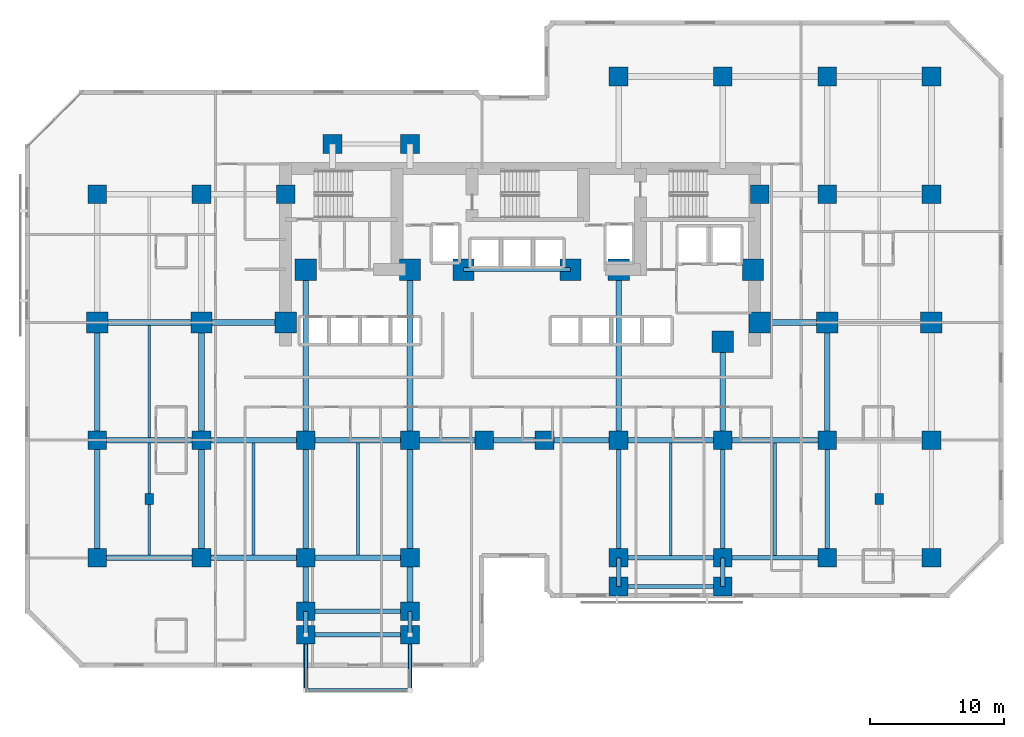
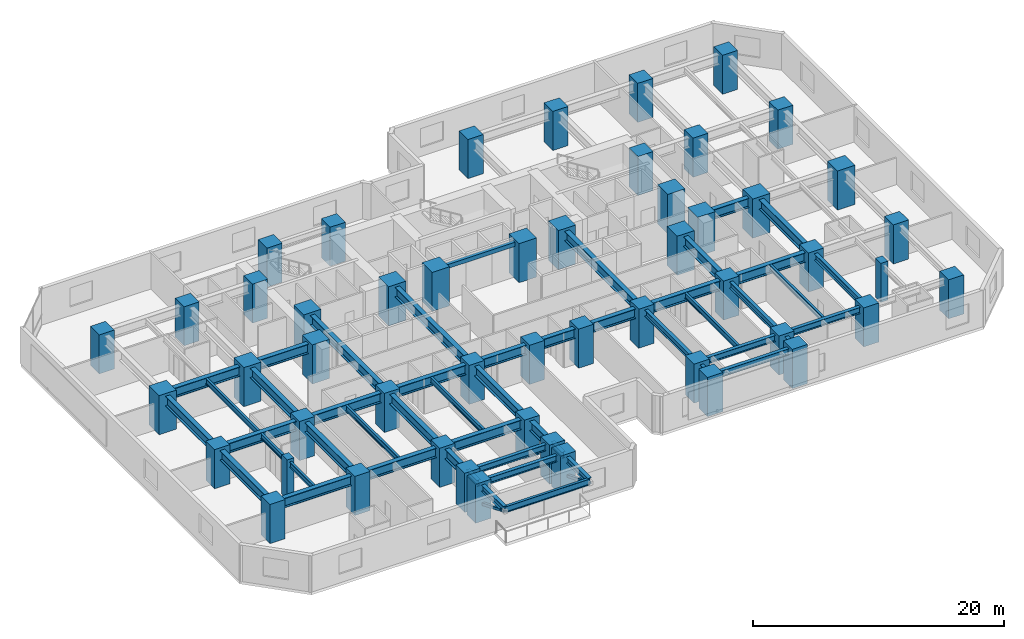
# One storey, part 1 of 12: 51 columns, 49 beams, 2 members.
"""IFC4 building model written with IfcOpenShell, lengths in metres."""

from ifc_helpers import new_model, si_unit, direction, frame, origin, origin_2d, place, context, subcontext, project, spatial, rectangle, hollow_rectangle, i_section, extrude, material, material_profile, profile_set, type_object, element, save


model = new_model("IFC4")

# Units and contexts
model_context = context("Model", 3, precision=1e-05, world=origin(), true_north=direction((0.0, 1.0)))
body_context = subcontext(model_context, "Body", "Model", "MODEL_VIEW")
ifc_project = project(units=[si_unit("LENGTHUNIT", "METRE"), si_unit("AREAUNIT", "SQUARE_METRE"), si_unit("VOLUMEUNIT", "CUBIC_METRE"), si_unit("PLANEANGLEUNIT", "RADIAN"), si_unit("MASSUNIT", "GRAM", prefix="KILO")], contexts=[model_context])

# Site, building, storey
site_placement = place(None, origin())
site = spatial("IfcSite", under=ifc_project, at=site_placement, CompositionType="ELEMENT")
building_placement = place(site_placement, origin())
building = spatial("IfcBuilding", under=site, at=building_placement, Name="Kestravale Grand Hotel", CompositionType="ELEMENT")
storey_placement = place(building_placement, frame((0.0, 0.0, 41.199951171875)))
storey = spatial("IfcBuildingStorey", under=building, at=storey_placement, Name="L09", CompositionType="ELEMENT", Elevation=41.199951171875)

# Columns
ifc_material_1 = material(Name="Concrete f'c 70 MPa", Category="concrete")
ifc_material_profile_1 = material_profile(ifc_material_1, rectangle(XDim=1.39990234375, YDim=1.39990234375, at=origin_2d()))
ifc_profile_set_1 = profile_set([ifc_material_profile_1], Name="Concrete f'c 70 MPa")
column_type_1 = type_object("IfcColumnType", Name="C-Z1-1400", PredefinedType="COLUMN", material=ifc_profile_set_1)
for number, where, z_axis, x_axis, name in (
    (1, (7.800048828125, 11.199951171875, 0.0), (0.0, 0.0, 1.0), (1.0, 0.0, 0.0), "L09 column 2-C"),
    (2, (7.800048828125, 20.0, 0.0), (0.0, 0.0, 1.0), (1.0, 0.0, 0.0), "L09 column 2-D"),
    (3, (7.800048828125, 38.39990234375, 0.0), (0.0, 0.0, 1.0), (1.0, 0.0, 0.0), "L09 column 2-F"),
    (4, (15.60009765625, 11.199951171875, 0.0), (0.0, 0.0, 1.0), (1.0, 0.0, 0.0), "L09 column 3-C"),
    (5, (15.60009765625, 20.0, 0.0), (0.0, 0.0, 1.0), (1.0, 0.0, 0.0), "L09 column 3-D"),
    (6, (15.60009765625, 38.39990234375, 0.0), (0.0, 0.0, 1.0), (1.0, 0.0, 0.0), "L09 column 3-F"),
    (7, (23.39990234375, 11.199951171875, 0.0), (0.0, 0.0, 1.0), (1.0, 0.0, 0.0), "L09 column 4-C"),
    (8, (23.39990234375, 20.0, 0.0), (0.0, 0.0, 1.0), (1.0, 0.0, 0.0), "L09 column 4-D"),
    (9, (31.199951171875, 11.199951171875, 0.0), (0.0, 0.0, 1.0), (1.0, 0.0, 0.0), "L09 column 5-C"),
    (10, (31.199951171875, 20.0, 0.0), (0.0, 0.0, 1.0), (1.0, 0.0, 0.0), "L09 column 5-D"),
    (11, (36.75, 20.0, 0.0), (0.0, 0.0, 1.0), (1.0, 0.0, 0.0), "L09 column 6-D"),
    (12, (41.25, 20.0, 0.0), (0.0, 0.0, 1.0), (1.0, 0.0, 0.0), "L09 column 7-D"),
    (13, (46.800048828125, 11.199951171875, 0.0), (0.0, 0.0, 1.0), (1.0, 0.0, 0.0), "L09 column 8-C"),
    (14, (46.800048828125, 20.0, 0.0), (0.0, 0.0, 1.0), (1.0, 0.0, 0.0), "L09 column 8-D"),
    (15, (46.800048828125, 47.199951171875, 0.0), (0.0, 0.0, 1.0), (1.0, 0.0, 0.0), "L09 column 8-G"),
    (16, (54.60009765625, 11.199951171875, 0.0), (0.0, 0.0, 1.0), (1.0, 0.0, 0.0), "L09 column 9-C"),
    (17, (54.60009765625, 20.0, 0.0), (0.0, 0.0, 1.0), (1.0, 0.0, 0.0), "L09 column 9-D"),
    (18, (54.60009765625, 47.199951171875, 0.0), (0.0, 0.0, 1.0), (1.0, 0.0, 0.0), "L09 column 9-G"),
    (19, (62.39990234375, 11.199951171875, 0.0), (0.0, 0.0, 1.0), (1.0, 0.0, 0.0), "L09 column 10-C"),
    (20, (62.39990234375, 20.0, 0.0), (0.0, 0.0, 1.0), (1.0, 0.0, 0.0), "L09 column 10-D"),
    (21, (62.39990234375, 38.39990234375, 0.0), (0.0, 0.0, 1.0), (1.0, 0.0, 0.0), "L09 column 10-F"),
    (22, (62.39990234375, 47.199951171875, 0.0), (0.0, 0.0, 1.0), (1.0, 0.0, 0.0), "L09 column 10-G"),
    (23, (70.199951171875, 11.199951171875, 0.0), (0.0, 0.0, 1.0), (1.0, 0.0, 0.0), "L09 column 11-C"),
    (24, (70.199951171875, 20.0, 0.0), (0.0, 0.0, 1.0), (1.0, 0.0, 0.0), "L09 column 11-D"),
    (25, (70.199951171875, 38.39990234375, 0.0), (0.0, 0.0, 1.0), (1.0, 0.0, 0.0), "L09 column 11-F"),
    (26, (70.199951171875, 47.199951171875, 0.0), (0.0, 0.0, 1.0), (1.0, 0.0, 0.0), "L09 column 11-G"),
    (27, (21.89990234375, 38.39990234375, 0.0), (0.0, 0.0, 1.0), (1.0, 0.0, 0.0), "L09 column CW-F"),
    (28, (57.35009765625, 38.39990234375, 0.0), (0.0, 0.0, 1.0), (1.0, 0.0, 0.0), "L09 column CE-F"),
    (29, (23.39990234375, 7.199951171875, 0.0), (0.0, 0.0, 1.0), (1.0, 0.0, 0.0), "L09 column 4-BS"),
    (30, (31.199951171875, 7.199951171875, 0.0), (0.0, 0.0, 1.0), (1.0, 0.0, 0.0), "L09 column 5-BS"),
    (31, (25.39990234375, 42.14990234375, 0.0), (0.0, 0.0, 1.0), (1.0, 0.0, 0.0), "L09 column 4-FN"),
    (32, (31.199951171875, 42.14990234375, 0.0), (0.0, 0.0, 1.0), (1.0, 0.0, 0.0), "L09 column 5-FN"),
    (33, (23.39990234375, 5.449951171875, 0.0), (0.0, 0.0, 1.0), (1.0, 0.0, 0.0), "L09 column 4-B1S"),
    (34, (31.199951171875, 5.449951171875, 0.0), (0.0, 0.0, 1.0), (1.0, 0.0, 0.0), "L09 column 5-B1S"),
    (35, (46.800048828125, 9.050048828125, 0.0), (0.0, 0.0, 1.0), (1.0, 0.0, 0.0), "L09 column 8-B1E"),
    (36, (54.60009765625, 9.050048828125, 0.0), (0.0, 0.0, 1.0), (1.0, 0.0, 0.0), "L09 column 9-B1E"),
):
    element("IfcColumn", number, at=place(storey_placement, frame(where, z_axis=z_axis, x_axis=x_axis)), inside=storey, type_object=column_type_1, Name=name, PredefinedType="COLUMN", context=body_context, shape_type="SweptSolid", body=[
        extrude(rectangle(XDim=1.39990234375, YDim=1.39990234375, at=origin_2d()), origin(), (0.0, 0.0, 1.0), 3.800048828125),
    ])
ifc_material_2 = material(Name="Concrete f'c 70 MPa", Category="concrete")
ifc_material_profile_2 = material_profile(ifc_material_2, rectangle(XDim=1.60009765625, YDim=1.60009765625, at=origin_2d()))
ifc_profile_set_2 = profile_set([ifc_material_profile_2], Name="Concrete f'c 70 MPa")
column_type_2 = type_object("IfcColumnType", Name="C-Z1-1600", PredefinedType="COLUMN", material=ifc_profile_set_2)
for number, where, z_axis, x_axis, name in (
    (37, (7.800048828125, 28.800048828125, 0.0), (0.0, 0.0, 1.0), (1.0, 0.0, 0.0), "L09 column 2-E"),
    (38, (15.60009765625, 28.800048828125, 0.0), (0.0, 0.0, 1.0), (1.0, 0.0, 0.0), "L09 column 3-E"),
    (39, (62.39990234375, 28.800048828125, 0.0), (0.0, 0.0, 1.0), (1.0, 0.0, 0.0), "L09 column 10-E"),
    (40, (70.199951171875, 28.800048828125, 0.0), (0.0, 0.0, 1.0), (1.0, 0.0, 0.0), "L09 column 11-E"),
    (41, (21.89990234375, 28.800048828125, 0.0), (0.0, 0.0, 1.0), (1.0, 0.0, 0.0), "L09 column CW-E"),
    (42, (57.35009765625, 28.800048828125, 0.0), (0.0, 0.0, 1.0), (1.0, 0.0, 0.0), "L09 column CE-E"),
    (43, (23.39990234375, 32.75, 0.0), (0.0, 0.0, 1.0), (1.0, 0.0, 0.0), "L09 column 4-CS"),
    (44, (31.199951171875, 32.75, 0.0), (0.0, 0.0, 1.0), (1.0, 0.0, 0.0), "L09 column 5-CS"),
    (45, (35.199951171875, 32.75, 0.0), (0.0, 0.0, 1.0), (1.0, 0.0, 0.0), "L09 column 6C-CS"),
    (46, (43.199951171875, 32.75, 0.0), (0.0, 0.0, 1.0), (1.0, 0.0, 0.0), "L09 column 7C-CS"),
    (47, (46.800048828125, 32.75, 0.0), (0.0, 0.0, 1.0), (1.0, 0.0, 0.0), "L09 column 8-CS"),
    (48, (54.60009765625, 27.35009765625, 0.0), (0.0, 0.0, 1.0), (1.0, 0.0, 0.0), "L09 column 9-CS"),
    (49, (56.85009765625, 32.75, 0.0), (0.0, 0.0, 1.0), (1.0, 0.0, 0.0), "L09 column 9C-CS"),
):
    element("IfcColumn", number, at=place(storey_placement, frame(where, z_axis=z_axis, x_axis=x_axis)), inside=storey, type_object=column_type_2, Name=name, PredefinedType="COLUMN", context=body_context, shape_type="SweptSolid", body=[
        extrude(rectangle(XDim=1.60009765625, YDim=1.60009765625, at=origin_2d()), origin(), (0.0, 0.0, 1.0), 3.800048828125),
    ])
ifc_material_3 = material(Name="Precast concrete f'c 45 MPa", Category="concrete")
ifc_material_profile_3 = material_profile(ifc_material_3, rectangle(XDim=0.64990234375, YDim=0.85009765625, at=origin_2d()))
ifc_profile_set_3 = profile_set([ifc_material_profile_3], Name="Precast concrete f'c 45 MPa")
column_type_3 = type_object("IfcColumnType", Name="C-Z1-PIL850", PredefinedType="PILASTER", material=ifc_profile_set_3)
for number, where, z_axis, x_axis, name in (
    (50, (11.699951171875, 15.60009765625, 0.0), (0.0, 0.0, 1.0), (1.0, 0.0, 0.0), "L09 Art Deco fluted pilaster P1"),
    (51, (66.300048828125, 15.60009765625, 0.0), (0.0, 0.0, 1.0), (1.0, 0.0, 0.0), "L09 Art Deco fluted pilaster P2"),
):
    element("IfcColumn", number, at=place(storey_placement, frame(where, z_axis=z_axis, x_axis=x_axis)), inside=storey, type_object=column_type_3, Name=name, PredefinedType="PILASTER", context=body_context, shape_type="SweptSolid", body=[
        extrude(rectangle(XDim=0.64990234375, YDim=0.85009765625, at=origin_2d()), origin(), (0.0, 0.0, 1.0), 3.800048828125),
    ])

# Beams
ifc_material_4 = material(Name="Steel ASTM A992 Grade 50", Category="steel")
ifc_material_profile_4 = material_profile(ifc_material_4, i_section(OverallWidth=0.2099609375, OverallDepth=0.535888671875, WebThickness=0.010986328125, FlangeThickness=0.017333984375, FilletRadius=0.017578125, at=origin_2d()))
ifc_profile_set_4 = profile_set([ifc_material_profile_4], Name="Steel ASTM A992 Grade 50")
beam_type_1 = type_object("IfcBeamType", Name="B-FLR-JST21", PredefinedType="JOIST", material=ifc_profile_set_4)
for number, where, z_axis, x_axis, name in (
    (52, (11.699951171875, 11.412109375, 3.27197265625), (0.0, 1.0, 0.0), (-1.0, 0.0, 0.0), "L09 floor joist 2-3/C-D #1"),
    (53, (11.699951171875, 20.2119140625, 3.27197265625), (0.0, 1.0, 0.0), (-1.0, 0.0, 0.0), "L09 floor joist 2-3/D-E #1"),
    (54, (19.5, 11.412109375, 3.27197265625), (0.0, 1.0, 0.0), (-1.0, 0.0, 0.0), "L09 floor joist 3-4/C-D #1"),
    (55, (27.300048828125, 11.412109375, 3.27197265625), (0.0, 1.0, 0.0), (-1.0, 0.0, 0.0), "L09 floor joist 4-5/C-D #1"),
):
    element("IfcBeam", number, at=place(storey_placement, frame(where, z_axis=z_axis, x_axis=x_axis)), inside=storey, type_object=beam_type_1, Name=name, PredefinedType="JOIST", context=body_context, shape_type="SweptSolid", body=[
        extrude(i_section(OverallWidth=0.2099609375, OverallDepth=0.535888671875, WebThickness=0.010986328125, FlangeThickness=0.017333984375, FilletRadius=0.017578125, at=origin_2d()), origin(), (0.0, 0.0, 1.0), 8.3759765625),
    ])
for number, where, z_axis, x_axis, name in (
    (56, (50.699951171875, 11.362548828125, 3.27197265625), (0.0, 1.0, 0.0), (-1.0, 0.0, 0.0), "L09 floor joist 8-9/C-D #1"),
    (57, (58.5, 11.362548828125, 3.27197265625), (0.0, 1.0, 0.0), (-1.0, 0.0, 0.0), "L09 floor joist 9-10/C-D #1"),
):
    element("IfcBeam", number, at=place(storey_placement, frame(where, z_axis=z_axis, x_axis=x_axis)), inside=storey, type_object=beam_type_1, Name=name, PredefinedType="JOIST", context=body_context, shape_type="SweptSolid", body=[
        extrude(i_section(OverallWidth=0.2099609375, OverallDepth=0.535888671875, WebThickness=0.010986328125, FlangeThickness=0.017333984375, FilletRadius=0.017578125, at=origin_2d()), origin(), (0.0, 0.0, 1.0), 8.425537109375),
    ])
ifc_material_5 = material(Name="Concrete f'c 45 MPa", Category="concrete")
ifc_material_profile_5 = material_profile(ifc_material_5, rectangle(XDim=0.300048828125, YDim=0.39990234375, at=origin_2d()))
ifc_profile_set_5 = profile_set([ifc_material_profile_5], Name="Concrete f'c 45 MPa")
beam_type_2 = type_object("IfcBeamType", Name="B-FLR-LNT400", PredefinedType="LINTEL", material=ifc_profile_set_5)
beam_1_placement = place(storey_placement, frame((35.199951171875, 32.75, 3.340087890625), z_axis=(1.0, 0.0, 0.0), x_axis=(0.0, 1.0, 0.0)))
element("IfcBeam", 58, at=beam_1_placement, inside=storey, type_object=beam_type_2, Name="L09 core portal header lintel", PredefinedType="LINTEL", context=body_context, shape_type="SweptSolid", body=[
    extrude(rectangle(XDim=0.300048828125, YDim=0.39990234375, at=origin_2d()), origin(), (0.0, 0.0, 1.0), 8.0),
])
ifc_material_6 = material(Name="Steel ASTM A992 Grade 50", Category="steel")
ifc_material_profile_6 = material_profile(ifc_material_6, i_section(OverallWidth=0.324951171875, OverallDepth=0.612060546875, WebThickness=0.0126953125, FlangeThickness=0.01904296875, FilletRadius=0.018798828125, at=origin_2d()))
ifc_profile_set_6 = profile_set([ifc_material_profile_6], Name="Steel ASTM A992 Grade 50")
beam_type_3 = type_object("IfcBeamType", Name="B-FLR-W24A", PredefinedType="SPANDREL", material=ifc_profile_set_6)
beam_2_placement = place(storey_placement, frame((46.800048828125, 11.199951171875, 3.234130859375), z_axis=(1.0, 0.0, 0.0), x_axis=(0.0, 1.0, 0.0)))
element("IfcBeam", 59, at=beam_2_placement, inside=storey, type_object=beam_type_3, Name="L09 spandrel C:8-9", PredefinedType="SPANDREL", context=body_context, shape_type="SweptSolid", body=[
    extrude(i_section(OverallWidth=0.324951171875, OverallDepth=0.612060546875, WebThickness=0.0126953125, FlangeThickness=0.01904296875, FilletRadius=0.018798828125, at=origin_2d()), origin(), (0.0, 0.0, 1.0), 7.800048828125),
])
beam_3_placement = place(storey_placement, frame((54.60009765625, 11.199951171875, 3.234130859375), z_axis=(1.0, 0.0, 0.0), x_axis=(0.0, 1.0, 0.0)))
element("IfcBeam", 60, at=beam_3_placement, inside=storey, type_object=beam_type_3, Name="L09 spandrel C:9-10", PredefinedType="SPANDREL", context=body_context, shape_type="SweptSolid", body=[
    extrude(i_section(OverallWidth=0.324951171875, OverallDepth=0.612060546875, WebThickness=0.0126953125, FlangeThickness=0.01904296875, FilletRadius=0.018798828125, at=origin_2d()), origin(), (0.0, 0.0, 1.0), 7.7998046875),
])
for number, where, z_axis, x_axis, name in (
    (61, (23.39990234375, 5.449951171875, 3.234130859375), (1.0, 0.0, 0.0), (0.0, 1.0, 0.0), "L09 perimeter tie spandrel B1S:4-5"),
    (62, (46.800048828125, 9.050048828125, 3.234130859375), (1.0, 0.0, 0.0), (0.0, 1.0, 0.0), "L09 perimeter tie spandrel B1E:8-9"),
    (63, (23.39990234375, 7.199951171875, 3.234130859375), (1.0, 0.0, 0.0), (0.0, 1.0, 0.0), "L09 perimeter tie spandrel BS:4-5"),
):
    element("IfcBeam", number, at=place(storey_placement, frame(where, z_axis=z_axis, x_axis=x_axis)), inside=storey, type_object=beam_type_3, Name=name, PredefinedType="SPANDREL", context=body_context, shape_type="SweptSolid", body=[
        extrude(i_section(OverallWidth=0.324951171875, OverallDepth=0.612060546875, WebThickness=0.0126953125, FlangeThickness=0.01904296875, FilletRadius=0.018798828125, at=origin_2d()), origin(), (0.0, 0.0, 1.0), 7.800048828125),
    ])
for number, where, z_axis, x_axis, name in (
    (64, (23.39990234375, 5.449951171875, 3.234130859375), (0.0, 1.0, 0.0), (-1.0, 0.0, 0.0), "L09 spandrel 4:B1S-BS"),
    (65, (31.199951171875, 5.449951171875, 3.234130859375), (0.0, 1.0, 0.0), (-1.0, 0.0, 0.0), "L09 spandrel 5:B1S-BS"),
):
    element("IfcBeam", number, at=place(storey_placement, frame(where, z_axis=z_axis, x_axis=x_axis)), inside=storey, type_object=beam_type_3, Name=name, PredefinedType="SPANDREL", context=body_context, shape_type="SweptSolid", body=[
        extrude(i_section(OverallWidth=0.324951171875, OverallDepth=0.612060546875, WebThickness=0.0126953125, FlangeThickness=0.01904296875, FilletRadius=0.018798828125, at=origin_2d()), origin(), (0.0, 0.0, 1.0), 1.75),
    ])
beam_4_placement = place(storey_placement, frame((46.800048828125, 9.050048828125, 3.234130859375), z_axis=(0.0, 1.0, 0.0), x_axis=(-1.0, 0.0, 0.0)))
element("IfcBeam", 66, at=beam_4_placement, inside=storey, type_object=beam_type_3, Name="L09 spandrel 8:B1E-C", PredefinedType="SPANDREL", context=body_context, shape_type="SweptSolid", body=[
    extrude(i_section(OverallWidth=0.324951171875, OverallDepth=0.612060546875, WebThickness=0.0126953125, FlangeThickness=0.01904296875, FilletRadius=0.018798828125, at=origin_2d()), origin(), (0.0, 0.0, 1.0), 2.14990234375),
])
beam_5_placement = place(storey_placement, frame((46.800048828125, 11.199951171875, 3.234130859375), z_axis=(0.0, 1.0, 0.0), x_axis=(-1.0, 0.0, 0.0)))
element("IfcBeam", 67, at=beam_5_placement, inside=storey, type_object=beam_type_3, Name="L09 spandrel 8:C-D", PredefinedType="SPANDREL", context=body_context, shape_type="SweptSolid", body=[
    extrude(i_section(OverallWidth=0.324951171875, OverallDepth=0.612060546875, WebThickness=0.0126953125, FlangeThickness=0.01904296875, FilletRadius=0.018798828125, at=origin_2d()), origin(), (0.0, 0.0, 1.0), 8.800048828125),
])
beam_6_placement = place(storey_placement, frame((54.60009765625, 9.050048828125, 3.234130859375), z_axis=(0.0, 1.0, 0.0), x_axis=(-1.0, 0.0, 0.0)))
element("IfcBeam", 68, at=beam_6_placement, inside=storey, type_object=beam_type_3, Name="L09 spandrel 9:B1E-C", PredefinedType="SPANDREL", context=body_context, shape_type="SweptSolid", body=[
    extrude(i_section(OverallWidth=0.324951171875, OverallDepth=0.612060546875, WebThickness=0.0126953125, FlangeThickness=0.01904296875, FilletRadius=0.018798828125, at=origin_2d()), origin(), (0.0, 0.0, 1.0), 2.14990234375),
])
for number, where, z_axis, x_axis, name in (
    (69, (54.60009765625, 11.199951171875, 3.234130859375), (0.0, 1.0, 0.0), (-1.0, 0.0, 0.0), "L09 spandrel 9:C-D"),
    (70, (62.39990234375, 11.199951171875, 3.234130859375), (0.0, 1.0, 0.0), (-1.0, 0.0, 0.0), "L09 spandrel 10:C-D"),
):
    element("IfcBeam", number, at=place(storey_placement, frame(where, z_axis=z_axis, x_axis=x_axis)), inside=storey, type_object=beam_type_3, Name=name, PredefinedType="SPANDREL", context=body_context, shape_type="SweptSolid", body=[
        extrude(i_section(OverallWidth=0.324951171875, OverallDepth=0.612060546875, WebThickness=0.0126953125, FlangeThickness=0.01904296875, FilletRadius=0.018798828125, at=origin_2d()), origin(), (0.0, 0.0, 1.0), 8.800048828125),
    ])
for number, where, z_axis, x_axis, name in (
    (71, (23.39990234375, 5.449951171875, 3.22412109375), (0.0, -1.0, 0.0), (1.0, 0.0, 0.0), "L10 terrace cantilever beam 1"),
    (72, (31.199951171875, 5.449951171875, 3.22412109375), (0.0, -1.0, 0.0), (1.0, 0.0, 0.0), "L10 terrace cantilever beam 2"),
):
    element("IfcBeam", number, at=place(storey_placement, frame(where, z_axis=z_axis, x_axis=x_axis)), inside=storey, type_object=beam_type_3, Name=name, PredefinedType="SPANDREL", context=body_context, shape_type="SweptSolid", body=[
        extrude(i_section(OverallWidth=0.324951171875, OverallDepth=0.612060546875, WebThickness=0.0126953125, FlangeThickness=0.01904296875, FilletRadius=0.018798828125, at=origin_2d()), origin(), (0.0, 0.0, 1.0), 4.14990234375),
    ])
ifc_material_7 = material(Name="Steel ASTM A992 Grade 50", Category="steel")
ifc_material_profile_7 = material_profile(ifc_material_7, i_section(OverallWidth=0.22900390625, OverallDepth=0.612060546875, WebThickness=0.011962890625, FlangeThickness=0.01953125, FilletRadius=0.019287109375, at=origin_2d()))
ifc_profile_set_7 = profile_set([ifc_material_profile_7], Name="Steel ASTM A992 Grade 50")
beam_type_4 = type_object("IfcBeamType", Name="B-FLR-W24B", PredefinedType="SPANDREL", material=ifc_profile_set_7)
beam_7_placement = place(storey_placement, frame((23.39990234375, 1.300048828125, 3.22412109375), z_axis=(1.0, 0.0, 0.0), x_axis=(0.0, 1.0, 0.0)))
element("IfcBeam", 73, at=beam_7_placement, inside=storey, type_object=beam_type_4, Name="L10 terrace edge spandrel", PredefinedType="SPANDREL", context=body_context, shape_type="SweptSolid", body=[
    extrude(i_section(OverallWidth=0.22900390625, OverallDepth=0.612060546875, WebThickness=0.011962890625, FlangeThickness=0.01953125, FilletRadius=0.019287109375, at=origin_2d()), origin(), (0.0, 0.0, 1.0), 7.800048828125),
])
ifc_material_8 = material(Name="Steel ASTM A992 Grade 50", Category="steel")
ifc_material_profile_8 = material_profile(ifc_material_8, i_section(OverallWidth=0.424072265625, OverallDepth=0.947021484375, WebThickness=0.02392578125, FlangeThickness=0.042724609375, FilletRadius=0.0283203125, at=origin_2d()))
ifc_profile_set_8 = profile_set([ifc_material_profile_8], Name="Steel ASTM A992 Grade 50")
beam_type_5 = type_object("IfcBeamType", Name="B-GRD-W36", PredefinedType="BEAM", material=ifc_profile_set_8)
beam_8_placement = place(storey_placement, frame((7.800048828125, 11.199951171875, 3.066650390625), z_axis=(1.0, 0.0, 0.0), x_axis=(0.0, 1.0, 0.0)))
element("IfcBeam", 74, at=beam_8_placement, inside=storey, type_object=beam_type_5, Name="L09 girder C:2-3", PredefinedType="BEAM", context=body_context, shape_type="SweptSolid", body=[
    extrude(i_section(OverallWidth=0.424072265625, OverallDepth=0.947021484375, WebThickness=0.02392578125, FlangeThickness=0.042724609375, FilletRadius=0.0283203125, at=origin_2d()), origin(), (0.0, 0.0, 1.0), 7.800048828125),
])
beam_9_placement = place(storey_placement, frame((15.60009765625, 11.199951171875, 3.066650390625), z_axis=(1.0, 0.0, 0.0), x_axis=(0.0, 1.0, 0.0)))
element("IfcBeam", 75, at=beam_9_placement, inside=storey, type_object=beam_type_5, Name="L09 girder C:3-4", PredefinedType="BEAM", context=body_context, shape_type="SweptSolid", body=[
    extrude(i_section(OverallWidth=0.424072265625, OverallDepth=0.947021484375, WebThickness=0.02392578125, FlangeThickness=0.042724609375, FilletRadius=0.0283203125, at=origin_2d()), origin(), (0.0, 0.0, 1.0), 7.7998046875),
])
for number, where, z_axis, x_axis, name in (
    (76, (23.39990234375, 11.199951171875, 3.066650390625), (1.0, 0.0, 0.0), (0.0, 1.0, 0.0), "L09 girder C:4-5"),
    (77, (7.800048828125, 20.0, 3.066650390625), (1.0, 0.0, 0.0), (0.0, 1.0, 0.0), "L09 girder D:2-3"),
):
    element("IfcBeam", number, at=place(storey_placement, frame(where, z_axis=z_axis, x_axis=x_axis)), inside=storey, type_object=beam_type_5, Name=name, PredefinedType="BEAM", context=body_context, shape_type="SweptSolid", body=[
        extrude(i_section(OverallWidth=0.424072265625, OverallDepth=0.947021484375, WebThickness=0.02392578125, FlangeThickness=0.042724609375, FilletRadius=0.0283203125, at=origin_2d()), origin(), (0.0, 0.0, 1.0), 7.800048828125),
    ])
beam_10_placement = place(storey_placement, frame((15.60009765625, 20.0, 3.066650390625), z_axis=(1.0, 0.0, 0.0), x_axis=(0.0, 1.0, 0.0)))
element("IfcBeam", 78, at=beam_10_placement, inside=storey, type_object=beam_type_5, Name="L09 girder D:3-4", PredefinedType="BEAM", context=body_context, shape_type="SweptSolid", body=[
    extrude(i_section(OverallWidth=0.424072265625, OverallDepth=0.947021484375, WebThickness=0.02392578125, FlangeThickness=0.042724609375, FilletRadius=0.0283203125, at=origin_2d()), origin(), (0.0, 0.0, 1.0), 7.7998046875),
])
beam_11_placement = place(storey_placement, frame((23.39990234375, 20.0, 3.066650390625), z_axis=(1.0, 0.0, 0.0), x_axis=(0.0, 1.0, 0.0)))
element("IfcBeam", 79, at=beam_11_placement, inside=storey, type_object=beam_type_5, Name="L09 girder D:4-5", PredefinedType="BEAM", context=body_context, shape_type="SweptSolid", body=[
    extrude(i_section(OverallWidth=0.424072265625, OverallDepth=0.947021484375, WebThickness=0.02392578125, FlangeThickness=0.042724609375, FilletRadius=0.0283203125, at=origin_2d()), origin(), (0.0, 0.0, 1.0), 7.800048828125),
])
beam_12_placement = place(storey_placement, frame((31.199951171875, 20.0, 3.066650390625), z_axis=(1.0, 0.0, 0.0), x_axis=(0.0, 1.0, 0.0)))
element("IfcBeam", 80, at=beam_12_placement, inside=storey, type_object=beam_type_5, Name="L09 girder D:5-6", PredefinedType="BEAM", context=body_context, shape_type="SweptSolid", body=[
    extrude(i_section(OverallWidth=0.424072265625, OverallDepth=0.947021484375, WebThickness=0.02392578125, FlangeThickness=0.042724609375, FilletRadius=0.0283203125, at=origin_2d()), origin(), (0.0, 0.0, 1.0), 5.550048828125),
])
beam_13_placement = place(storey_placement, frame((36.75, 20.0, 3.066650390625), z_axis=(1.0, 0.0, 0.0), x_axis=(0.0, 1.0, 0.0)))
element("IfcBeam", 81, at=beam_13_placement, inside=storey, type_object=beam_type_5, Name="L09 girder D:6-7", PredefinedType="BEAM", context=body_context, shape_type="SweptSolid", body=[
    extrude(i_section(OverallWidth=0.424072265625, OverallDepth=0.947021484375, WebThickness=0.02392578125, FlangeThickness=0.042724609375, FilletRadius=0.0283203125, at=origin_2d()), origin(), (0.0, 0.0, 1.0), 4.5),
])
beam_14_placement = place(storey_placement, frame((41.25, 20.0, 3.066650390625), z_axis=(1.0, 0.0, 0.0), x_axis=(0.0, 1.0, 0.0)))
element("IfcBeam", 82, at=beam_14_placement, inside=storey, type_object=beam_type_5, Name="L09 girder D:7-8", PredefinedType="BEAM", context=body_context, shape_type="SweptSolid", body=[
    extrude(i_section(OverallWidth=0.424072265625, OverallDepth=0.947021484375, WebThickness=0.02392578125, FlangeThickness=0.042724609375, FilletRadius=0.0283203125, at=origin_2d()), origin(), (0.0, 0.0, 1.0), 5.550048828125),
])
beam_15_placement = place(storey_placement, frame((46.800048828125, 20.0, 3.066650390625), z_axis=(1.0, 0.0, 0.0), x_axis=(0.0, 1.0, 0.0)))
element("IfcBeam", 83, at=beam_15_placement, inside=storey, type_object=beam_type_5, Name="L09 girder D:8-9", PredefinedType="BEAM", context=body_context, shape_type="SweptSolid", body=[
    extrude(i_section(OverallWidth=0.424072265625, OverallDepth=0.947021484375, WebThickness=0.02392578125, FlangeThickness=0.042724609375, FilletRadius=0.0283203125, at=origin_2d()), origin(), (0.0, 0.0, 1.0), 7.800048828125),
])
beam_16_placement = place(storey_placement, frame((54.60009765625, 20.0, 3.066650390625), z_axis=(1.0, 0.0, 0.0), x_axis=(0.0, 1.0, 0.0)))
element("IfcBeam", 84, at=beam_16_placement, inside=storey, type_object=beam_type_5, Name="L09 girder D:9-10", PredefinedType="BEAM", context=body_context, shape_type="SweptSolid", body=[
    extrude(i_section(OverallWidth=0.424072265625, OverallDepth=0.947021484375, WebThickness=0.02392578125, FlangeThickness=0.042724609375, FilletRadius=0.0283203125, at=origin_2d()), origin(), (0.0, 0.0, 1.0), 7.7998046875),
])
beam_17_placement = place(storey_placement, frame((7.800048828125, 28.800048828125, 3.066650390625), z_axis=(1.0, 0.0, 0.0), x_axis=(0.0, 1.0, 0.0)))
element("IfcBeam", 85, at=beam_17_placement, inside=storey, type_object=beam_type_5, Name="L09 girder E:2-3", PredefinedType="BEAM", context=body_context, shape_type="SweptSolid", body=[
    extrude(i_section(OverallWidth=0.424072265625, OverallDepth=0.947021484375, WebThickness=0.02392578125, FlangeThickness=0.042724609375, FilletRadius=0.0283203125, at=origin_2d()), origin(), (0.0, 0.0, 1.0), 7.800048828125),
])
beam_18_placement = place(storey_placement, frame((15.60009765625, 28.800048828125, 3.066650390625), z_axis=(1.0, 0.0, 0.0), x_axis=(0.0, 1.0, 0.0)))
element("IfcBeam", 86, at=beam_18_placement, inside=storey, type_object=beam_type_5, Name="L09 girder E:3-CW", PredefinedType="BEAM", context=body_context, shape_type="SweptSolid", body=[
    extrude(i_section(OverallWidth=0.424072265625, OverallDepth=0.947021484375, WebThickness=0.02392578125, FlangeThickness=0.042724609375, FilletRadius=0.0283203125, at=origin_2d()), origin(), (0.0, 0.0, 1.0), 6.2998046875),
])
beam_19_placement = place(storey_placement, frame((57.35009765625, 28.800048828125, 3.066650390625), z_axis=(1.0, 0.0, 0.0), x_axis=(0.0, 1.0, 0.0)))
element("IfcBeam", 87, at=beam_19_placement, inside=storey, type_object=beam_type_5, Name="L09 girder E:CE-10", PredefinedType="BEAM", context=body_context, shape_type="SweptSolid", body=[
    extrude(i_section(OverallWidth=0.424072265625, OverallDepth=0.947021484375, WebThickness=0.02392578125, FlangeThickness=0.042724609375, FilletRadius=0.0283203125, at=origin_2d()), origin(), (0.0, 0.0, 1.0), 5.0498046875),
])
for number, where, z_axis, x_axis, name in (
    (88, (7.800048828125, 11.199951171875, 3.066650390625), (0.0, 1.0, 0.0), (-1.0, 0.0, 0.0), "L09 girder 2:C-D"),
    (89, (7.800048828125, 20.0, 3.066650390625), (0.0, 1.0, 0.0), (-1.0, 0.0, 0.0), "L09 girder 2:D-E"),
    (90, (15.60009765625, 11.199951171875, 3.066650390625), (0.0, 1.0, 0.0), (-1.0, 0.0, 0.0), "L09 girder 3:C-D"),
    (91, (15.60009765625, 20.0, 3.066650390625), (0.0, 1.0, 0.0), (-1.0, 0.0, 0.0), "L09 girder 3:D-E"),
):
    element("IfcBeam", number, at=place(storey_placement, frame(where, z_axis=z_axis, x_axis=x_axis)), inside=storey, type_object=beam_type_5, Name=name, PredefinedType="BEAM", context=body_context, shape_type="SweptSolid", body=[
        extrude(i_section(OverallWidth=0.424072265625, OverallDepth=0.947021484375, WebThickness=0.02392578125, FlangeThickness=0.042724609375, FilletRadius=0.0283203125, at=origin_2d()), origin(), (0.0, 0.0, 1.0), 8.800048828125),
    ])
beam_20_placement = place(storey_placement, frame((23.39990234375, 7.199951171875, 3.066650390625), z_axis=(0.0, 1.0, 0.0), x_axis=(-1.0, 0.0, 0.0)))
element("IfcBeam", 92, at=beam_20_placement, inside=storey, type_object=beam_type_5, Name="L09 girder 4:BS-C", PredefinedType="BEAM", context=body_context, shape_type="SweptSolid", body=[
    extrude(i_section(OverallWidth=0.424072265625, OverallDepth=0.947021484375, WebThickness=0.02392578125, FlangeThickness=0.042724609375, FilletRadius=0.0283203125, at=origin_2d()), origin(), (0.0, 0.0, 1.0), 4.0),
])
beam_21_placement = place(storey_placement, frame((23.39990234375, 11.199951171875, 3.066650390625), z_axis=(0.0, 1.0, 0.0), x_axis=(-1.0, 0.0, 0.0)))
element("IfcBeam", 93, at=beam_21_placement, inside=storey, type_object=beam_type_5, Name="L09 girder 4:C-D", PredefinedType="BEAM", context=body_context, shape_type="SweptSolid", body=[
    extrude(i_section(OverallWidth=0.424072265625, OverallDepth=0.947021484375, WebThickness=0.02392578125, FlangeThickness=0.042724609375, FilletRadius=0.0283203125, at=origin_2d()), origin(), (0.0, 0.0, 1.0), 8.800048828125),
])
beam_22_placement = place(storey_placement, frame((23.39990234375, 20.0, 3.066650390625), z_axis=(0.0, 1.0, 0.0), x_axis=(-1.0, 0.0, 0.0)))
element("IfcBeam", 94, at=beam_22_placement, inside=storey, type_object=beam_type_5, Name="L09 girder 4:D-CS", PredefinedType="BEAM", context=body_context, shape_type="SweptSolid", body=[
    extrude(i_section(OverallWidth=0.424072265625, OverallDepth=0.947021484375, WebThickness=0.02392578125, FlangeThickness=0.042724609375, FilletRadius=0.0283203125, at=origin_2d()), origin(), (0.0, 0.0, 1.0), 12.75),
])
beam_23_placement = place(storey_placement, frame((31.199951171875, 7.199951171875, 3.066650390625), z_axis=(0.0, 1.0, 0.0), x_axis=(-1.0, 0.0, 0.0)))
element("IfcBeam", 95, at=beam_23_placement, inside=storey, type_object=beam_type_5, Name="L09 girder 5:BS-C", PredefinedType="BEAM", context=body_context, shape_type="SweptSolid", body=[
    extrude(i_section(OverallWidth=0.424072265625, OverallDepth=0.947021484375, WebThickness=0.02392578125, FlangeThickness=0.042724609375, FilletRadius=0.0283203125, at=origin_2d()), origin(), (0.0, 0.0, 1.0), 4.0),
])
beam_24_placement = place(storey_placement, frame((31.199951171875, 11.199951171875, 3.066650390625), z_axis=(0.0, 1.0, 0.0), x_axis=(-1.0, 0.0, 0.0)))
element("IfcBeam", 96, at=beam_24_placement, inside=storey, type_object=beam_type_5, Name="L09 girder 5:C-D", PredefinedType="BEAM", context=body_context, shape_type="SweptSolid", body=[
    extrude(i_section(OverallWidth=0.424072265625, OverallDepth=0.947021484375, WebThickness=0.02392578125, FlangeThickness=0.042724609375, FilletRadius=0.0283203125, at=origin_2d()), origin(), (0.0, 0.0, 1.0), 8.800048828125),
])
for number, where, z_axis, x_axis, name in (
    (97, (31.199951171875, 20.0, 3.066650390625), (0.0, 1.0, 0.0), (-1.0, 0.0, 0.0), "L09 girder 5:D-CS"),
    (98, (46.800048828125, 20.0, 3.066650390625), (0.0, 1.0, 0.0), (-1.0, 0.0, 0.0), "L09 girder 8:D-CS"),
):
    element("IfcBeam", number, at=place(storey_placement, frame(where, z_axis=z_axis, x_axis=x_axis)), inside=storey, type_object=beam_type_5, Name=name, PredefinedType="BEAM", context=body_context, shape_type="SweptSolid", body=[
        extrude(i_section(OverallWidth=0.424072265625, OverallDepth=0.947021484375, WebThickness=0.02392578125, FlangeThickness=0.042724609375, FilletRadius=0.0283203125, at=origin_2d()), origin(), (0.0, 0.0, 1.0), 12.75),
    ])
beam_25_placement = place(storey_placement, frame((54.60009765625, 20.0, 3.066650390625), z_axis=(0.0, 1.0, 0.0), x_axis=(-1.0, 0.0, 0.0)))
element("IfcBeam", 99, at=beam_25_placement, inside=storey, type_object=beam_type_5, Name="L09 girder 9:D-CS", PredefinedType="BEAM", context=body_context, shape_type="SweptSolid", body=[
    extrude(i_section(OverallWidth=0.424072265625, OverallDepth=0.947021484375, WebThickness=0.02392578125, FlangeThickness=0.042724609375, FilletRadius=0.0283203125, at=origin_2d()), origin(), (0.0, 0.0, 1.0), 7.35009765625),
])
beam_26_placement = place(storey_placement, frame((62.39990234375, 20.0, 3.066650390625), z_axis=(0.0, 1.0, 0.0), x_axis=(-1.0, 0.0, 0.0)))
element("IfcBeam", 100, at=beam_26_placement, inside=storey, type_object=beam_type_5, Name="L09 girder 10:D-E", PredefinedType="BEAM", context=body_context, shape_type="SweptSolid", body=[
    extrude(i_section(OverallWidth=0.424072265625, OverallDepth=0.947021484375, WebThickness=0.02392578125, FlangeThickness=0.042724609375, FilletRadius=0.0283203125, at=origin_2d()), origin(), (0.0, 0.0, 1.0), 8.800048828125),
])

# Members
ifc_material_9 = material(Name="Steel ASTM A500 Grade C", Category="steel")
ifc_material_profile_9 = material_profile(ifc_material_9, hollow_rectangle(XDim=0.25, YDim=0.25, WallThickness=0.011962890625, InnerFilletRadius=0.011962890625, OuterFilletRadius=0.02392578125, at=origin_2d()))
ifc_profile_set_9 = profile_set([ifc_material_profile_9], Name="Steel ASTM A500 Grade C")
member_type = type_object("IfcMemberType", Name="M-BLT-STR250", PredefinedType="STRUT", material=ifc_profile_set_9)
for number, where, z_axis, x_axis, name in (
    (101, (23.39990234375, 5.449951171875, 1.3740234375), (0.0, -0.925369949496, 0.379065240519), (1.0, 0.0, 0.0), "L10 terrace knee-brace strut 1"),
    (102, (31.199951171875, 5.449951171875, 1.3740234375), (0.0, -0.925369949496, 0.379065240519), (1.0, 0.0, 0.0), "L10 terrace knee-brace strut 2"),
):
    element("IfcMember", number, at=place(storey_placement, frame(where, z_axis=z_axis, x_axis=x_axis)), inside=storey, type_object=member_type, Name=name, PredefinedType="STRUT", context=body_context, shape_type="SweptSolid", body=[
        extrude(hollow_rectangle(XDim=0.25, YDim=0.25, WallThickness=0.011962890625, InnerFilletRadius=0.011962890625, OuterFilletRadius=0.02392578125, at=origin_2d()), origin(), (0.0, 0.0, 1.0), 4.484619140625),
    ])

save(model, "model.ifc")
